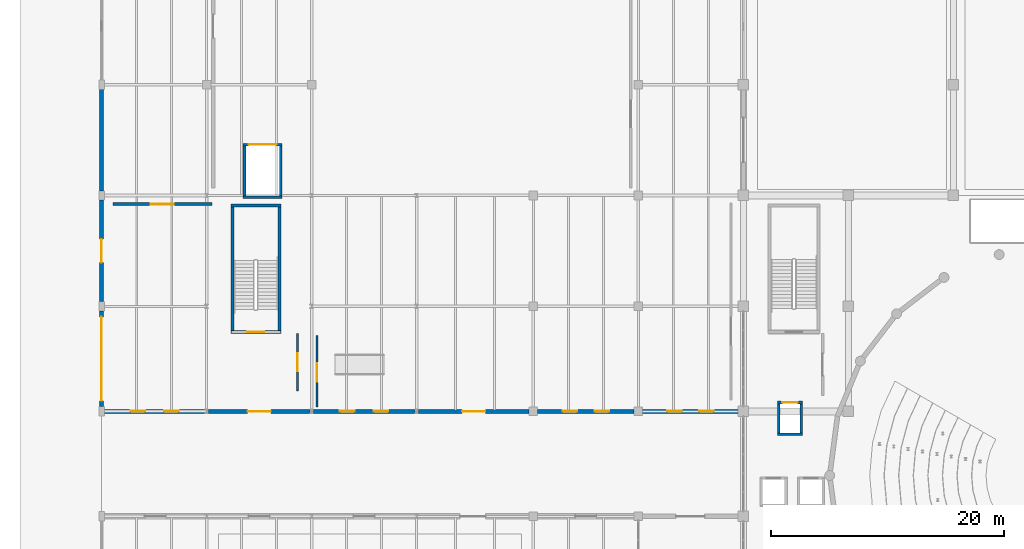
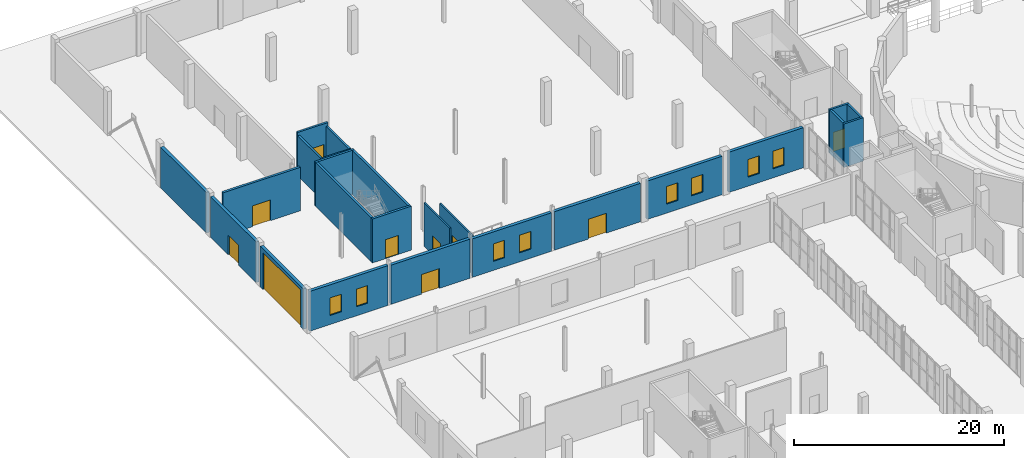
# One storey, part 85 of 103: 24 walls, 10 doors, 8 windows, 18 openings.
"""IFC4 building model written with IfcOpenShell, lengths in metres."""

from ifc_helpers import new_model, si_unit, direction, frame, frame_2d, origin, place, context, subcontext, project, spatial, rectangle, extrude, material, layer, layer_set, type_object, element, fill, save


model = new_model("IFC4")

# Units and contexts
model_context = context("Model", 3, precision=1e-05, world=origin(), true_north=direction((0.0, 1.0)))
body_context = subcontext(model_context, "Body", "Model", "MODEL_VIEW")
ifc_project = project(units=[si_unit("LENGTHUNIT", "METRE"), si_unit("AREAUNIT", "SQUARE_METRE"), si_unit("VOLUMEUNIT", "CUBIC_METRE"), si_unit("PLANEANGLEUNIT", "RADIAN"), si_unit("MASSUNIT", "GRAM", prefix="KILO")], contexts=[model_context])

# Site, building, storey
site_placement = place(None, origin())
site = spatial("IfcSite", under=ifc_project, at=site_placement, CompositionType="ELEMENT")
building_placement = place(site_placement, origin())
building = spatial("IfcBuilding", under=site, at=building_placement, Name="Marnock Terrace Opera House", CompositionType="ELEMENT")
storey_placement = place(building_placement, origin())
storey = spatial("IfcBuildingStorey", under=building, at=storey_placement, Name="L00", CompositionType="ELEMENT", Elevation=0.0)

# Wall, opening, door
ifc_material_1 = material(Name="Carey Gully rusticated stone masonry", Category="masonry")
ifc_layer_1 = layer(ifc_material_1, 0.340087890625)
ifc_layer_set_1 = layer_set([ifc_layer_1], Name="Carey Gully rusticated stone masonry")
wall_type_1 = type_object("IfcWallType", Name="EW-WORK-340", PredefinedType="SOLIDWALL", material=ifc_layer_set_1)
wall_1_placement = place(storey_placement, frame((0.0, 66.39599609375, 0.0), z_axis=(0.0, 0.0, 1.0), x_axis=(0.0, 1.0, 0.0)))
wall_1 = element("IfcWall", 1, at=wall_1_placement, inside=storey, type_object=wall_type_1, Name="L00 Workshops west stone wall 1", PredefinedType="SOLIDWALL", context=body_context, shape_type="SweptSolid", body=[
    extrude(rectangle(XDim=8.2080078125, YDim=0.340087890625, at=frame_2d((4.10400390625, 0.0))), origin(), (0.0, 0.0, 1.0), 4.7314453125),
])
opening_1_placement = place(wall_1_placement, frame((0.50390625, 0.0, 0.0)))
opening_1 = element("IfcOpeningElement", 2, at=opening_1_placement, cuts=wall_1, Name="Opening LD-01", PredefinedType="OPENING", context=body_context, shape_type="SweptSolid", body=[
    extrude(rectangle(XDim=7.199951171875, YDim=4.300048828125, at=frame_2d((3.60009765625, 2.14990234375))), frame((0.0, 0.179931640625, 0.0), z_axis=(0.0, -1.0, 0.0), x_axis=(1.0, 0.0, 0.0)), (0.0, 0.0, 1.0), 0.360107421875),
])
ifc_material_2 = material(Name="Galvanised architectural steel framing", Category="steel")
door_type_1 = type_object("IfcDoorType", Name="DT-DOCK-7200", OperationType="NOTDEFINED", PredefinedType="GATE", material=ifc_material_2)
door_1_placement = place(opening_1_placement, origin())
door_1 = element("IfcDoor", 3, at=door_1_placement, inside=storey, type_object=door_type_1, Name="Exterior door LD-01", OperationType="ROLLINGUP", OverallHeight=4.300048828125, OverallWidth=7.199951171875, PredefinedType="GATE", context=body_context, shape_type="SweptSolid", body=[
    extrude(rectangle(XDim=7.199951171875, YDim=4.300048828125, at=frame_2d((3.60009765625, 2.14990234375))), frame((0.0, 0.02490234375, 0.0), z_axis=(0.0, -1.0, 0.0), x_axis=(1.0, 0.0, 0.0)), (0.0, 0.0, 1.0), 0.050048828125),
])
fill(opening_1, door_1)

wall_2_placement = place(storey_placement, frame((0.0, 75.39599609375, 0.0), z_axis=(0.0, 0.0, 1.0), x_axis=(0.0, 1.0, 0.0)))
wall_2 = element("IfcWall", 4, at=wall_2_placement, inside=storey, type_object=wall_type_1, Name="L00 Workshops west stone wall 2", PredefinedType="SOLIDWALL", context=body_context, shape_type="SweptSolid", body=[
    extrude(rectangle(XDim=8.7080078125, YDim=0.340087890625, at=frame_2d((4.35400390625, 0.0))), origin(), (0.0, 0.0, 1.0), 4.7314453125),
])
opening_2_placement = place(wall_2_placement, frame((3.35400390625, 0.0, 0.0)))
opening_2 = element("IfcOpeningElement", 5, at=opening_2_placement, cuts=wall_2, Name="Opening ED-09", PredefinedType="OPENING", context=body_context, shape_type="SweptSolid", body=[
    extrude(rectangle(XDim=2.0, YDim=2.300048828125, at=frame_2d((1.0, 1.14990234375))), frame((0.0, 0.179931640625, 0.0), z_axis=(0.0, -1.0, 0.0), x_axis=(1.0, 0.0, 0.0)), (0.0, 0.0, 1.0), 0.360107421875),
])
ifc_material_3 = material(Name="Anodised architectural bronze aluminium framing", Category="aluminium")
door_type_2 = type_object("IfcDoorType", Name="DT-EXIT-2000", OperationType="NOTDEFINED", PredefinedType="DOOR", material=ifc_material_3)
door_2_placement = place(opening_2_placement, origin())
door_2 = element("IfcDoor", 6, at=door_2_placement, inside=storey, type_object=door_type_2, Name="Exterior door ED-09", OperationType="DOUBLE_DOOR_SINGLE_SWING", OverallHeight=2.300048828125, OverallWidth=2.0, PredefinedType="DOOR", context=body_context, shape_type="SweptSolid", body=[
    extrude(rectangle(XDim=2.0, YDim=2.300048828125, at=frame_2d((1.0, 1.14990234375))), frame((0.0, 0.02490234375, 0.0), z_axis=(0.0, -1.0, 0.0), x_axis=(1.0, 0.0, 0.0)), (0.0, 0.0, 1.0), 0.050048828125),
])
fill(opening_2, door_2)

# Wall
wall_3_placement = place(storey_placement, frame((0.0, 84.89599609375, 0.0), z_axis=(0.0, 0.0, 1.0), x_axis=(0.0, 1.0, 0.0)))
element("IfcWall", 7, at=wall_3_placement, inside=storey, type_object=wall_type_1, Name="L00 Workshops west stone wall 3", PredefinedType="SOLIDWALL", context=body_context, shape_type="SweptSolid", body=[
    extrude(rectangle(XDim=8.7080078125, YDim=0.340087890625, at=frame_2d((4.35400390625, 0.0))), origin(), (0.0, 0.0, 1.0), 4.7314453125),
])

# Wall, openings, windows
wall_4_placement = place(storey_placement, frame((0.220947265625, 66.0, 0.0), z_axis=(0.0, 0.0, 1.0), x_axis=(1.0, 0.0, 0.0)))
wall_4 = element("IfcWall", 8, at=wall_4_placement, inside=storey, type_object=wall_type_1, Name="L00 Workshops south courtyard wall 1", PredefinedType="SOLIDWALL", context=body_context, shape_type="SweptSolid", body=[
    extrude(rectangle(XDim=8.62744140625, YDim=0.340087890625, at=frame_2d((4.313720703125, 0.0))), origin(), (0.0, 0.0, 1.0), 4.629638671875),
])
opening_3_placement = place(wall_4_placement, frame((2.250732421875, 0.0, 1.050048828125)))
opening_3 = element("IfcOpeningElement", 9, at=opening_3_placement, cuts=wall_4, Name="Opening WT-96", PredefinedType="OPENING", context=body_context, shape_type="SweptSolid", body=[
    extrude(rectangle(XDim=1.25, YDim=2.050048828125, at=frame_2d((0.625, 1.02490234375))), frame((0.0, 0.179931640625, 0.0), z_axis=(0.0, -1.0, 0.0), x_axis=(1.0, 0.0, 0.0)), (0.0, 0.0, 1.0), 0.360107421875),
])
opening_4_placement = place(wall_4_placement, frame((5.126708984375, 0.0, 1.050048828125)))
opening_4 = element("IfcOpeningElement", 10, at=opening_4_placement, cuts=wall_4, Name="Opening WT-96", PredefinedType="OPENING", context=body_context, shape_type="SweptSolid", body=[
    extrude(rectangle(XDim=1.25, YDim=2.050048828125, at=frame_2d((0.625, 1.02490234375))), frame((0.0, 0.179931640625, 0.0), z_axis=(0.0, -1.0, 0.0), x_axis=(1.0, 0.0, 0.0)), (0.0, 0.0, 1.0), 0.360107421875),
])
ifc_material_4 = material(Name="Double-glazed acoustic low-E laminated glass", Category="glass")
window_type = type_object("IfcWindowType", Name="WT-DRESS-1250", PartitioningType="SINGLE_PANEL", PredefinedType="WINDOW", material=ifc_material_4)
window_1_placement = place(opening_3_placement, origin())
window_1 = element("IfcWindow", 11, at=window_1_placement, inside=storey, type_object=window_type, Name="L00 facade window EW-V4S-L00-1.1", OverallHeight=2.050048828125, OverallWidth=1.25, PartitioningType="SINGLE_PANEL", PredefinedType="WINDOW", context=body_context, shape_type="SweptSolid", body=[
    extrude(rectangle(XDim=1.25, YDim=2.050048828125, at=frame_2d((0.625, 1.02490234375))), frame((0.0, 0.030029296875, 0.0), z_axis=(0.0, -1.0, 0.0), x_axis=(1.0, 0.0, 0.0)), (0.0, 0.0, 1.0), 0.06005859375),
])
fill(opening_3, window_1)
window_2_placement = place(opening_4_placement, origin())
window_2 = element("IfcWindow", 12, at=window_2_placement, inside=storey, type_object=window_type, Name="L00 facade window EW-V4S-L00-1.2", OverallHeight=2.050048828125, OverallWidth=1.25, PartitioningType="SINGLE_PANEL", PredefinedType="WINDOW", context=body_context, shape_type="SweptSolid", body=[
    extrude(rectangle(XDim=1.25, YDim=2.050048828125, at=frame_2d((0.625, 1.02490234375))), frame((0.0, 0.030029296875, 0.0), z_axis=(0.0, -1.0, 0.0), x_axis=(1.0, 0.0, 0.0)), (0.0, 0.0, 1.0), 0.06005859375),
])
fill(opening_4, window_2)

# Wall, opening, door
wall_5_placement = place(storey_placement, frame((17.848388671875, 66.0, 0.0), z_axis=(0.0, 0.0, 1.0), x_axis=(-1.0, 0.0, 0.0)))
wall_5 = element("IfcWall", 13, at=wall_5_placement, inside=storey, type_object=wall_type_1, Name="L00 Workshops south courtyard wall 2", PredefinedType="SOLIDWALL", context=body_context, shape_type="SweptSolid", body=[
    extrude(rectangle(XDim=8.69677734375, YDim=0.340087890625, at=frame_2d((4.348388671875, 0.0))), origin(), (0.0, 0.0, 1.0), 4.556884765625),
])
opening_5_placement = place(wall_5_placement, frame((3.348388671875, 0.0, 0.0)))
opening_5 = element("IfcOpeningElement", 14, at=opening_5_placement, cuts=wall_5, Name="Opening ED-21", PredefinedType="OPENING", context=body_context, shape_type="SweptSolid", body=[
    extrude(rectangle(XDim=2.0, YDim=2.300048828125, at=frame_2d((1.0, 1.14990234375))), frame((0.0, 0.179931640625, 0.0), z_axis=(0.0, -1.0, 0.0), x_axis=(1.0, 0.0, 0.0)), (0.0, 0.0, 1.0), 0.360107421875),
])
door_3_placement = place(opening_5_placement, origin())
door_3 = element("IfcDoor", 15, at=door_3_placement, inside=storey, type_object=door_type_2, Name="Exterior door ED-21", OperationType="DOUBLE_DOOR_SINGLE_SWING", OverallHeight=2.300048828125, OverallWidth=2.0, PredefinedType="DOOR", context=body_context, shape_type="SweptSolid", body=[
    extrude(rectangle(XDim=2.0, YDim=2.300048828125, at=frame_2d((1.0, 1.14990234375))), frame((0.0, 0.02490234375, 0.0), z_axis=(0.0, -1.0, 0.0), x_axis=(1.0, 0.0, 0.0)), (0.0, 0.0, 1.0), 0.050048828125),
])
fill(opening_5, door_3)

# Wall, openings, windows
wall_6_placement = place(storey_placement, frame((18.151611328125, 66.0, 0.0), z_axis=(0.0, 0.0, 1.0), x_axis=(1.0, 0.0, 0.0)))
wall_6 = element("IfcWall", 16, at=wall_6_placement, inside=storey, type_object=wall_type_1, Name="L00 Workshops south courtyard wall 3", PredefinedType="SOLIDWALL", context=body_context, shape_type="SweptSolid", body=[
    extrude(rectangle(XDim=8.69677734375, YDim=0.340087890625, at=frame_2d((4.348388671875, 0.0))), origin(), (0.0, 0.0, 1.0), 4.48291015625),
])
opening_6_placement = place(wall_6_placement, frame((2.27392578125, 0.0, 1.050048828125)))
opening_6 = element("IfcOpeningElement", 17, at=opening_6_placement, cuts=wall_6, Name="Opening WT-96", PredefinedType="OPENING", context=body_context, shape_type="SweptSolid", body=[
    extrude(rectangle(XDim=1.25, YDim=2.050048828125, at=frame_2d((0.625, 1.02490234375))), frame((0.0, 0.179931640625, 0.0), z_axis=(0.0, -1.0, 0.0), x_axis=(1.0, 0.0, 0.0)), (0.0, 0.0, 1.0), 0.360107421875),
])
opening_7_placement = place(wall_6_placement, frame((5.173095703125, 0.0, 1.050048828125)))
opening_7 = element("IfcOpeningElement", 18, at=opening_7_placement, cuts=wall_6, Name="Opening WT-96", PredefinedType="OPENING", context=body_context, shape_type="SweptSolid", body=[
    extrude(rectangle(XDim=1.25, YDim=2.050048828125, at=frame_2d((0.625, 1.02490234375))), frame((0.0, 0.179931640625, 0.0), z_axis=(0.0, -1.0, 0.0), x_axis=(1.0, 0.0, 0.0)), (0.0, 0.0, 1.0), 0.360107421875),
])
window_3_placement = place(opening_6_placement, origin())
window_3 = element("IfcWindow", 19, at=window_3_placement, inside=storey, type_object=window_type, Name="L00 facade window EW-V4S-L00-3.1", OverallHeight=2.050048828125, OverallWidth=1.25, PartitioningType="SINGLE_PANEL", PredefinedType="WINDOW", context=body_context, shape_type="SweptSolid", body=[
    extrude(rectangle(XDim=1.25, YDim=2.050048828125, at=frame_2d((0.625, 1.02490234375))), frame((0.0, 0.030029296875, 0.0), z_axis=(0.0, -1.0, 0.0), x_axis=(1.0, 0.0, 0.0)), (0.0, 0.0, 1.0), 0.06005859375),
])
fill(opening_6, window_3)
window_4_placement = place(opening_7_placement, origin())
window_4 = element("IfcWindow", 20, at=window_4_placement, inside=storey, type_object=window_type, Name="L00 facade window EW-V4S-L00-3.2", OverallHeight=2.050048828125, OverallWidth=1.25, PartitioningType="SINGLE_PANEL", PredefinedType="WINDOW", context=body_context, shape_type="SweptSolid", body=[
    extrude(rectangle(XDim=1.25, YDim=2.050048828125, at=frame_2d((0.625, 1.02490234375))), frame((0.0, 0.030029296875, 0.0), z_axis=(0.0, -1.0, 0.0), x_axis=(1.0, 0.0, 0.0)), (0.0, 0.0, 1.0), 0.06005859375),
])
fill(opening_7, window_4)

# Wall, opening, door
wall_7_placement = place(storey_placement, frame((36.62890625, 66.0, 0.0), z_axis=(0.0, 0.0, 1.0), x_axis=(-1.0, 0.0, 0.0)))
wall_7 = element("IfcWall", 21, at=wall_7_placement, inside=storey, type_object=wall_type_1, Name="L00 Workshops south courtyard wall 4", PredefinedType="SOLIDWALL", context=body_context, shape_type="SweptSolid", body=[
    extrude(rectangle(XDim=9.477294921875, YDim=0.340087890625, at=frame_2d((4.73876953125, 0.0))), origin(), (0.0, 0.0, 1.0), 4.478515625),
])
opening_8_placement = place(wall_7_placement, frame((3.73876953125, 0.0, 0.0)))
opening_8 = element("IfcOpeningElement", 22, at=opening_8_placement, cuts=wall_7, Name="Opening ED-10", PredefinedType="OPENING", context=body_context, shape_type="SweptSolid", body=[
    extrude(rectangle(XDim=2.0, YDim=2.300048828125, at=frame_2d((1.0, 1.14990234375))), frame((0.0, 0.179931640625, 0.0), z_axis=(0.0, -1.0, 0.0), x_axis=(1.0, 0.0, 0.0)), (0.0, 0.0, 1.0), 0.360107421875),
])
door_4_placement = place(opening_8_placement, origin())
door_4 = element("IfcDoor", 23, at=door_4_placement, inside=storey, type_object=door_type_2, Name="Exterior door ED-10", OperationType="DOUBLE_DOOR_SINGLE_SWING", OverallHeight=2.300048828125, OverallWidth=2.0, PredefinedType="DOOR", context=body_context, shape_type="SweptSolid", body=[
    extrude(rectangle(XDim=2.0, YDim=2.300048828125, at=frame_2d((1.0, 1.14990234375))), frame((0.0, 0.02490234375, 0.0), z_axis=(0.0, -1.0, 0.0), x_axis=(1.0, 0.0, 0.0)), (0.0, 0.0, 1.0), 0.050048828125),
])
fill(opening_8, door_4)

# Wall, openings, windows
wall_8_placement = place(storey_placement, frame((37.37109375, 66.0, 0.0), z_axis=(0.0, 0.0, 1.0), x_axis=(1.0, 0.0, 0.0)))
wall_8 = element("IfcWall", 24, at=wall_8_placement, inside=storey, type_object=wall_type_1, Name="L00 Workshops south courtyard wall 5", PredefinedType="SOLIDWALL", context=body_context, shape_type="SweptSolid", body=[
    extrude(rectangle(XDim=8.2578125, YDim=0.340087890625, at=frame_2d((4.12890625, 0.0))), origin(), (0.0, 0.0, 1.0), 4.478515625),
])
opening_9_placement = place(wall_8_placement, frame((2.127685546875, 0.0, 1.050048828125)))
opening_9 = element("IfcOpeningElement", 25, at=opening_9_placement, cuts=wall_8, Name="Opening WT-96", PredefinedType="OPENING", context=body_context, shape_type="SweptSolid", body=[
    extrude(rectangle(XDim=1.25, YDim=2.050048828125, at=frame_2d((0.625, 1.02490234375))), frame((0.0, 0.179931640625, 0.0), z_axis=(0.0, -1.0, 0.0), x_axis=(1.0, 0.0, 0.0)), (0.0, 0.0, 1.0), 0.360107421875),
])
opening_10_placement = place(wall_8_placement, frame((4.88037109375, 0.0, 1.050048828125)))
opening_10 = element("IfcOpeningElement", 26, at=opening_10_placement, cuts=wall_8, Name="Opening WT-96", PredefinedType="OPENING", context=body_context, shape_type="SweptSolid", body=[
    extrude(rectangle(XDim=1.25, YDim=2.050048828125, at=frame_2d((0.625, 1.02490234375))), frame((0.0, 0.179931640625, 0.0), z_axis=(0.0, -1.0, 0.0), x_axis=(1.0, 0.0, 0.0)), (0.0, 0.0, 1.0), 0.360107421875),
])
window_5_placement = place(opening_9_placement, origin())
window_5 = element("IfcWindow", 27, at=window_5_placement, inside=storey, type_object=window_type, Name="L00 facade window EW-V4S-L00-5.1", OverallHeight=2.050048828125, OverallWidth=1.25, PartitioningType="SINGLE_PANEL", PredefinedType="WINDOW", context=body_context, shape_type="SweptSolid", body=[
    extrude(rectangle(XDim=1.25, YDim=2.050048828125, at=frame_2d((0.625, 1.02490234375))), frame((0.0, 0.030029296875, 0.0), z_axis=(0.0, -1.0, 0.0), x_axis=(1.0, 0.0, 0.0)), (0.0, 0.0, 1.0), 0.06005859375),
])
fill(opening_9, window_5)
window_6_placement = place(opening_10_placement, origin())
window_6 = element("IfcWindow", 28, at=window_6_placement, inside=storey, type_object=window_type, Name="L00 facade window EW-V4S-L00-5.2", OverallHeight=2.050048828125, OverallWidth=1.25, PartitioningType="SINGLE_PANEL", PredefinedType="WINDOW", context=body_context, shape_type="SweptSolid", body=[
    extrude(rectangle(XDim=1.25, YDim=2.050048828125, at=frame_2d((0.625, 1.02490234375))), frame((0.0, 0.030029296875, 0.0), z_axis=(0.0, -1.0, 0.0), x_axis=(1.0, 0.0, 0.0)), (0.0, 0.0, 1.0), 0.06005859375),
])
fill(opening_10, window_6)

wall_9_placement = place(storey_placement, frame((46.37109375, 66.0, 0.0), z_axis=(0.0, 0.0, 1.0), x_axis=(1.0, 0.0, 0.0)))
wall_9 = element("IfcWall", 29, at=wall_9_placement, inside=storey, type_object=wall_type_1, Name="L00 Workshops south courtyard wall 6", PredefinedType="SOLIDWALL", context=body_context, shape_type="SweptSolid", body=[
    extrude(rectangle(XDim=8.182861328125, YDim=0.340087890625, at=frame_2d((4.09130859375, 0.0))), origin(), (0.0, 0.0, 1.0), 4.6875),
])
opening_11_placement = place(wall_9_placement, frame((2.102783203125, 0.0, 1.050048828125)))
opening_11 = element("IfcOpeningElement", 30, at=opening_11_placement, cuts=wall_9, Name="Opening WT-96", PredefinedType="OPENING", context=body_context, shape_type="SweptSolid", body=[
    extrude(rectangle(XDim=1.25, YDim=2.050048828125, at=frame_2d((0.625, 1.02490234375))), frame((0.0, 0.179931640625, 0.0), z_axis=(0.0, -1.0, 0.0), x_axis=(1.0, 0.0, 0.0)), (0.0, 0.0, 1.0), 0.360107421875),
])
opening_12_placement = place(wall_9_placement, frame((4.830322265625, 0.0, 1.050048828125)))
opening_12 = element("IfcOpeningElement", 31, at=opening_12_placement, cuts=wall_9, Name="Opening WT-96", PredefinedType="OPENING", context=body_context, shape_type="SweptSolid", body=[
    extrude(rectangle(XDim=1.25, YDim=2.050048828125, at=frame_2d((0.625, 1.02490234375))), frame((0.0, 0.179931640625, 0.0), z_axis=(0.0, -1.0, 0.0), x_axis=(1.0, 0.0, 0.0)), (0.0, 0.0, 1.0), 0.360107421875),
])
window_7_placement = place(opening_11_placement, origin())
window_7 = element("IfcWindow", 32, at=window_7_placement, inside=storey, type_object=window_type, Name="L00 facade window EW-V4S-L00-6.1", OverallHeight=2.050048828125, OverallWidth=1.25, PartitioningType="SINGLE_PANEL", PredefinedType="WINDOW", context=body_context, shape_type="SweptSolid", body=[
    extrude(rectangle(XDim=1.25, YDim=2.050048828125, at=frame_2d((0.625, 1.02490234375))), frame((0.0, 0.030029296875, 0.0), z_axis=(0.0, -1.0, 0.0), x_axis=(1.0, 0.0, 0.0)), (0.0, 0.0, 1.0), 0.06005859375),
])
fill(opening_11, window_7)
window_8_placement = place(opening_12_placement, origin())
window_8 = element("IfcWindow", 33, at=window_8_placement, inside=storey, type_object=window_type, Name="L00 facade window EW-V4S-L00-6.2", OverallHeight=2.050048828125, OverallWidth=1.25, PartitioningType="SINGLE_PANEL", PredefinedType="WINDOW", context=body_context, shape_type="SweptSolid", body=[
    extrude(rectangle(XDim=1.25, YDim=2.050048828125, at=frame_2d((0.625, 1.02490234375))), frame((0.0, 0.030029296875, 0.0), z_axis=(0.0, -1.0, 0.0), x_axis=(1.0, 0.0, 0.0)), (0.0, 0.0, 1.0), 0.06005859375),
])
fill(opening_12, window_8)

# Wall, opening, door
ifc_material_5 = material(Name="Double-stud acoustic plasterboard with mineral-wool infill")
ifc_layer_2 = layer(ifc_material_5, 0.2548828125)
ifc_layer_set_2 = layer_set([ifc_layer_2], Name="Double-stud acoustic plasterboard with mineral-wool infill")
wall_type_2 = type_object("IfcWallType", Name="IW-ACOUSTIC-255", PredefinedType="PARTITIONING", material=ifc_layer_set_2)
wall_10_placement = place(storey_placement, frame((0.949951171875, 83.75, 0.0), z_axis=(0.0, 0.0, 1.0), x_axis=(1.0, 0.0, 0.0)))
wall_10 = element("IfcWall", 34, at=wall_10_placement, inside=storey, type_object=wall_type_2, Name="L00 Scene Dock and Loading Bay acoustic partition wall", PredefinedType="PARTITIONING", context=body_context, shape_type="SweptSolid", body=[
    extrude(rectangle(XDim=8.5, YDim=0.2548828125, at=frame_2d((4.25, 0.0))), origin(), (0.0, 0.0, 1.0), 5.070068359375),
])
opening_13_placement = place(wall_10_placement, frame((3.260009765625, 0.0, 0.0)))
opening_13 = element("IfcOpeningElement", 35, at=opening_13_placement, cuts=wall_10, Name="Opening D-L00-18", PredefinedType="OPENING", context=body_context, shape_type="SweptSolid", body=[
    extrude(rectangle(XDim=1.97998046875, YDim=2.419921875, at=frame_2d((0.989990234375, 1.2099609375))), frame((0.0, 0.137451171875, 0.0), z_axis=(0.0, -1.0, 0.0), x_axis=(1.0, 0.0, 0.0)), (0.0, 0.0, 1.0), 0.27490234375),
])
ifc_material_6 = material(Name="Fire-rated acoustic timber-core door assembly", Category="wood")
door_type_3 = type_object("IfcDoorType", Name="DT-WORK-1980", OperationType="NOTDEFINED", PredefinedType="DOOR", material=ifc_material_6)
door_5_placement = place(opening_13_placement, origin())
door_5 = element("IfcDoor", 36, at=door_5_placement, inside=storey, type_object=door_type_3, Name="L00 Scene Dock and Loading Bay entrance door", OperationType="DOUBLE_DOOR_SINGLE_SWING", OverallHeight=2.419921875, OverallWidth=1.97998046875, PredefinedType="DOOR", context=body_context, shape_type="SweptSolid", body=[
    extrude(rectangle(XDim=1.97998046875, YDim=2.419921875, at=frame_2d((0.989990234375, 1.2099609375))), frame((0.0, 0.02490234375, 0.0), z_axis=(0.0, -1.0, 0.0), x_axis=(1.0, 0.0, 0.0)), (0.0, 0.0, 1.0), 0.050048828125),
])
fill(opening_13, door_5)

ifc_material_7 = material(Name="Rendered acoustic concrete blockwork", Category="masonry")
ifc_layer_3 = layer(ifc_material_7, 0.175048828125)
ifc_layer_set_3 = layer_set([ifc_layer_3], Name="Rendered acoustic concrete blockwork")
wall_type_3 = type_object("IfcWallType", Name="IW-FIRE-175", PredefinedType="PARTITIONING", material=ifc_layer_set_3)
wall_11_placement = place(storey_placement, frame((16.800048828125, 67.75, 0.0), z_axis=(0.0, 0.0, 1.0), x_axis=(0.0, 1.0, 0.0)))
wall_11 = element("IfcWall", 37, at=wall_11_placement, inside=storey, type_object=wall_type_3, Name="L00 C7 fire-rated lift and stair lobby wall", PredefinedType="PARTITIONING", context=body_context, shape_type="SweptSolid", body=[
    extrude(rectangle(XDim=4.89990234375, YDim=0.175048828125, at=frame_2d((2.449951171875, 0.0))), origin(), (0.0, 0.0, 1.0), 5.070068359375),
])
opening_14_placement = place(wall_11_placement, frame((1.675048828125, 0.0, 0.0)))
opening_14 = element("IfcOpeningElement", 38, at=opening_14_placement, cuts=wall_11, Name="Opening FD-C7-L00", PredefinedType="OPENING", context=body_context, shape_type="SweptSolid", body=[
    extrude(rectangle(XDim=1.550048828125, YDim=2.219970703125, at=frame_2d((0.77490234375, 1.10986328125))), frame((0.0, 0.097412109375, 0.0), z_axis=(0.0, -1.0, 0.0), x_axis=(1.0, 0.0, 0.0)), (0.0, 0.0, 1.0), 0.195068359375),
])
door_type_4 = type_object("IfcDoorType", Name="DT-LOBBY-1550", OperationType="NOTDEFINED", PredefinedType="DOOR", material=ifc_material_6)
door_6_placement = place(opening_14_placement, origin())
door_6 = element("IfcDoor", 39, at=door_6_placement, inside=storey, type_object=door_type_4, Name="L00 C7 lobby self-closing smoke door", OperationType="SINGLE_SWING_RIGHT", OverallHeight=2.219970703125, OverallWidth=1.550048828125, PredefinedType="DOOR", context=body_context, shape_type="SweptSolid", body=[
    extrude(rectangle(XDim=1.550048828125, YDim=2.219970703125, at=frame_2d((0.77490234375, 1.10986328125))), frame((0.0, 0.02490234375, 0.0), z_axis=(0.0, -1.0, 0.0), x_axis=(1.0, 0.0, 0.0)), (0.0, 0.0, 1.0), 0.050048828125),
])
fill(opening_14, door_6)

wall_12_placement = place(storey_placement, frame((18.449951171875, 66.35009765625, 0.0), z_axis=(0.0, 0.0, 1.0), x_axis=(0.0, 1.0, 0.0)))
wall_12 = element("IfcWall", 40, at=wall_12_placement, inside=storey, type_object=wall_type_3, Name="L00 Protected exit passageway fire wall PW-EX-C7-E", PredefinedType="PARTITIONING", context=body_context, shape_type="SweptSolid", body=[
    extrude(rectangle(XDim=6.14990234375, YDim=0.175048828125, at=frame_2d((3.074951171875, 0.0))), origin(), (0.0, 0.0, 1.0), 4.488037109375),
])
opening_15_placement = place(wall_12_placement, frame((2.199951171875, 0.0, 0.0)))
opening_15 = element("IfcOpeningElement", 41, at=opening_15_placement, cuts=wall_12, Name="Opening PD-EX-C7", PredefinedType="OPENING", context=body_context, shape_type="SweptSolid", body=[
    extrude(rectangle(XDim=1.550048828125, YDim=2.219970703125, at=frame_2d((0.77490234375, 1.10986328125))), frame((0.0, 0.097412109375, 0.0), z_axis=(0.0, -1.0, 0.0), x_axis=(1.0, 0.0, 0.0)), (0.0, 0.0, 1.0), 0.195068359375),
])
door_7_placement = place(opening_15_placement, origin())
door_7 = element("IfcDoor", 42, at=door_7_placement, inside=storey, type_object=door_type_4, Name="L00 Protected exit passageway self-closing smoke door PD-EX-C7", OperationType="SINGLE_SWING_RIGHT", OverallHeight=2.219970703125, OverallWidth=1.550048828125, PredefinedType="DOOR", context=body_context, shape_type="SweptSolid", body=[
    extrude(rectangle(XDim=1.550048828125, YDim=2.219970703125, at=frame_2d((0.77490234375, 1.10986328125))), frame((0.0, 0.02490234375, 0.0), z_axis=(0.0, -1.0, 0.0), x_axis=(1.0, 0.0, 0.0)), (0.0, 0.0, 1.0), 0.050048828125),
])
fill(opening_15, door_7)

ifc_layer_4 = layer(ifc_material_7, 0.22509765625)
ifc_layer_set_4 = layer_set([ifc_layer_4], Name="Rendered acoustic concrete blockwork")
wall_type_4 = type_object("IfcWallType", Name="IW-SHAFT-225", PredefinedType="SOLIDWALL", material=ifc_layer_set_4)
wall_13_placement = place(storey_placement, frame((57.927490234375, 66.760009765625, 0.0), z_axis=(0.0, 0.0, 1.0), x_axis=(1.0, 0.0, 0.0)))
wall_13 = element("IfcWall", 43, at=wall_13_placement, inside=storey, type_object=wall_type_4, Name="L00 Lift EL-01 front shaft wall", PredefinedType="SOLIDWALL", context=body_context, shape_type="SweptSolid", body=[
    extrude(rectangle(XDim=2.14501953125, YDim=0.22509765625, at=frame_2d((1.072509765625, 0.0))), origin(), (0.0, 0.0, 1.0), 5.070068359375),
])
opening_16_placement = place(wall_13_placement, frame((0.422607421875, 0.0, 0.0)))
opening_16 = element("IfcOpeningElement", 44, at=opening_16_placement, cuts=wall_13, Name="Opening LD-EL-01-L00", PredefinedType="OPENING", context=body_context, shape_type="SweptSolid", body=[
    extrude(rectangle(XDim=1.300048828125, YDim=2.25, at=frame_2d((0.64990234375, 1.125))), frame((0.0, 0.12255859375, 0.0), z_axis=(0.0, -1.0, 0.0), x_axis=(1.0, 0.0, 0.0)), (0.0, 0.0, 1.0), 0.2451171875),
])
ifc_material_8 = material(Name="Brushed stainless steel landing door assembly", Category="steel")
door_type_5 = type_object("IfcDoorType", Name="DT-LIFT-1300", OperationType="NOTDEFINED", PredefinedType="DOOR", material=ifc_material_8)
door_8_placement = place(opening_16_placement, origin())
door_8 = element("IfcDoor", 45, at=door_8_placement, inside=storey, type_object=door_type_5, Name="L00 Lift EL-01 sliding landing door", OperationType="DOUBLE_DOOR_SLIDING", OverallHeight=2.25, OverallWidth=1.300048828125, PredefinedType="DOOR", context=body_context, shape_type="SweptSolid", body=[
    extrude(rectangle(XDim=1.300048828125, YDim=2.25, at=frame_2d((0.64990234375, 1.125))), frame((0.0, 0.02490234375, 0.0), z_axis=(0.0, -1.0, 0.0), x_axis=(1.0, 0.0, 0.0)), (0.0, 0.0, 1.0), 0.050048828125),
])
fill(opening_16, door_8)

# Walls
wall_14_placement = place(storey_placement, frame((57.927490234375, 64.0400390625, 0.0), z_axis=(0.0, 0.0, 1.0), x_axis=(1.0, 0.0, 0.0)))
element("IfcWall", 46, at=wall_14_placement, inside=storey, type_object=wall_type_4, Name="L00 Lift EL-01 rear shaft wall", PredefinedType="SOLIDWALL", context=body_context, shape_type="SweptSolid", body=[
    extrude(rectangle(XDim=2.14501953125, YDim=0.22509765625, at=frame_2d((1.072509765625, 0.0))), origin(), (0.0, 0.0, 1.0), 5.070068359375),
])
for number, where, z_axis, x_axis, name in (
    (47, (58.0400390625, 64.0400390625, 0.0), (0.0, 0.0, 1.0), (0.0, 1.0, 0.0), "L00 Lift EL-01 west shaft wall"),
    (48, (59.9599609375, 64.0400390625, 0.0), (0.0, 0.0, 1.0), (0.0, 1.0, 0.0), "L00 Lift EL-01 east shaft wall"),
):
    element("IfcWall", number, at=place(storey_placement, frame(where, z_axis=z_axis, x_axis=x_axis)), inside=storey, type_object=wall_type_4, Name=name, PredefinedType="SOLIDWALL", context=body_context, shape_type="SweptSolid", body=[
        extrude(rectangle(XDim=2.719970703125, YDim=0.22509765625, at=frame_2d((1.35986328125, 0.0))), origin(), (0.0, 0.0, 1.0), 5.070068359375),
    ])

# Wall, opening, door
wall_15_placement = place(storey_placement, frame((12.12744140625, 88.860107421875, 0.0), z_axis=(0.0, 0.0, 1.0), x_axis=(1.0, 0.0, 0.0)))
wall_15 = element("IfcWall", 49, at=wall_15_placement, inside=storey, type_object=wall_type_4, Name="L00 Lift GL-01 front shaft wall", PredefinedType="SOLIDWALL", context=body_context, shape_type="SweptSolid", body=[
    extrude(rectangle(XDim=3.344970703125, YDim=0.22509765625, at=frame_2d((1.67236328125, 0.0))), origin(), (0.0, 0.0, 1.0), 5.070068359375),
])
opening_17_placement = place(wall_15_placement, frame((0.472412109375, 0.0, 0.0)))
opening_17 = element("IfcOpeningElement", 50, at=opening_17_placement, cuts=wall_15, Name="Opening LD-GL-01-L00", PredefinedType="OPENING", context=body_context, shape_type="SweptSolid", body=[
    extrude(rectangle(XDim=2.39990234375, YDim=2.64990234375, at=frame_2d((1.199951171875, 1.324951171875))), frame((0.0, 0.12255859375, 0.0), z_axis=(0.0, -1.0, 0.0), x_axis=(1.0, 0.0, 0.0)), (0.0, 0.0, 1.0), 0.2451171875),
])
door_type_6 = type_object("IfcDoorType", Name="DT-LIFT-2400", OperationType="NOTDEFINED", PredefinedType="DOOR", material=ifc_material_8)
door_9_placement = place(opening_17_placement, origin())
door_9 = element("IfcDoor", 51, at=door_9_placement, inside=storey, type_object=door_type_6, Name="L00 Lift GL-01 sliding landing door", OperationType="DOUBLE_DOOR_SLIDING", OverallHeight=2.64990234375, OverallWidth=2.39990234375, PredefinedType="DOOR", context=body_context, shape_type="SweptSolid", body=[
    extrude(rectangle(XDim=2.39990234375, YDim=2.64990234375, at=frame_2d((1.199951171875, 1.324951171875))), frame((0.0, 0.02490234375, 0.0), z_axis=(0.0, -1.0, 0.0), x_axis=(1.0, 0.0, 0.0)), (0.0, 0.0, 1.0), 0.050048828125),
])
fill(opening_17, door_9)

# Walls
wall_16_placement = place(storey_placement, frame((12.12744140625, 84.340087890625, 0.0), z_axis=(0.0, 0.0, 1.0), x_axis=(1.0, 0.0, 0.0)))
element("IfcWall", 52, at=wall_16_placement, inside=storey, type_object=wall_type_4, Name="L00 Lift GL-01 rear shaft wall", PredefinedType="SOLIDWALL", context=body_context, shape_type="SweptSolid", body=[
    extrude(rectangle(XDim=3.344970703125, YDim=0.22509765625, at=frame_2d((1.67236328125, 0.0))), origin(), (0.0, 0.0, 1.0), 4.6875),
])
for number, where, z_axis, x_axis, name in (
    (53, (12.239990234375, 84.340087890625, 0.0), (0.0, 0.0, 1.0), (0.0, 1.0, 0.0), "L00 Lift GL-01 west shaft wall"),
    (54, (15.360107421875, 84.340087890625, 0.0), (0.0, 0.0, 1.0), (0.0, 1.0, 0.0), "L00 Lift GL-01 east shaft wall"),
):
    element("IfcWall", number, at=place(storey_placement, frame(where, z_axis=z_axis, x_axis=x_axis)), inside=storey, type_object=wall_type_4, Name=name, PredefinedType="SOLIDWALL", context=body_context, shape_type="SweptSolid", body=[
        extrude(rectangle(XDim=4.52001953125, YDim=0.22509765625, at=frame_2d((2.260009765625, 0.0))), origin(), (0.0, 0.0, 1.0), 4.6875),
    ])

# Wall, opening, door
ifc_material_9 = material(Name="Concrete N40 (f'c = 40 MPa)", Category="concrete")
ifc_layer_5 = layer(ifc_material_9, 0.25)
ifc_layer_set_5 = layer_set([ifc_layer_5], Name="Concrete N40 (f'c = 40 MPa)")
wall_type_5 = type_object("IfcWallType", Name="SW-CORE-250", PredefinedType="SHEAR", material=ifc_layer_set_5)
wall_17_placement = place(storey_placement, frame((11.074951171875, 72.800048828125, 0.0), z_axis=(0.0, 0.0, 1.0), x_axis=(1.0, 0.0, 0.0)))
wall_17 = element("IfcWall", 55, at=wall_17_placement, inside=storey, type_object=wall_type_5, Name="L00 Core C7 FRL 120/120/120 shear wall S", PredefinedType="SHEAR", context=body_context, shape_type="SweptSolid", body=[
    extrude(rectangle(XDim=4.2900390625, YDim=0.25, at=frame_2d((2.14501953125, 0.0))), origin(), (0.0, 0.0, 1.0), 5.1201171875),
])
opening_18_placement = place(wall_17_placement, frame((1.419921875, 0.0, 0.0)))
opening_18 = element("IfcOpeningElement", 56, at=opening_18_placement, cuts=wall_17, Name="Opening SD-C7-L00", PredefinedType="OPENING", context=body_context, shape_type="SweptSolid", body=[
    extrude(rectangle(XDim=1.449951171875, YDim=2.199951171875, at=frame_2d((0.72509765625, 1.10009765625))), frame((0.0, 0.135009765625, 0.0), z_axis=(0.0, -1.0, 0.0), x_axis=(1.0, 0.0, 0.0)), (0.0, 0.0, 1.0), 0.27001953125),
])
door_type_7 = type_object("IfcDoorType", Name="DT-STAIR-1450", OperationType="NOTDEFINED", PredefinedType="DOOR", material=ifc_material_6)
door_10_placement = place(opening_18_placement, origin())
door_10 = element("IfcDoor", 57, at=door_10_placement, inside=storey, type_object=door_type_7, Name="L00 Stair ST-07 fire-isolated exit door", OperationType="SINGLE_SWING_LEFT", OverallHeight=2.199951171875, OverallWidth=1.449951171875, PredefinedType="DOOR", context=body_context, shape_type="SweptSolid", body=[
    extrude(rectangle(XDim=1.449951171875, YDim=2.199951171875, at=frame_2d((0.72509765625, 1.10009765625))), frame((0.0, 0.02490234375, 0.0), z_axis=(0.0, -1.0, 0.0), x_axis=(1.0, 0.0, 0.0)), (0.0, 0.0, 1.0), 0.050048828125),
])
fill(opening_18, door_10)

# Walls
wall_18_placement = place(storey_placement, frame((11.074951171875, 83.639892578125, 0.0), z_axis=(0.0, 0.0, 1.0), x_axis=(1.0, 0.0, 0.0)))
element("IfcWall", 58, at=wall_18_placement, inside=storey, type_object=wall_type_5, Name="L00 Core C7 FRL 120/120/120 shear wall N", PredefinedType="SHEAR", context=body_context, shape_type="SweptSolid", body=[
    extrude(rectangle(XDim=4.2900390625, YDim=0.25, at=frame_2d((2.14501953125, 0.0))), origin(), (0.0, 0.0, 1.0), 5.1201171875),
])
for number, where, z_axis, x_axis, name in (
    (59, (11.199951171875, 72.675048828125, 0.0), (0.0, 0.0, 1.0), (0.0, 1.0, 0.0), "L00 Core C7 FRL 120/120/120 shear wall W"),
    (60, (15.239990234375, 72.675048828125, 0.0), (0.0, 0.0, 1.0), (0.0, 1.0, 0.0), "L00 Core C7 FRL 120/120/120 shear wall E"),
):
    element("IfcWall", number, at=place(storey_placement, frame(where, z_axis=z_axis, x_axis=x_axis)), inside=storey, type_object=wall_type_5, Name=name, PredefinedType="SHEAR", context=body_context, shape_type="SweptSolid", body=[
        extrude(rectangle(XDim=11.08984375, YDim=0.25, at=frame_2d((5.544921875, 0.0))), origin(), (0.0, 0.0, 1.0), 5.1201171875),
    ])

save(model, "model.ifc")
